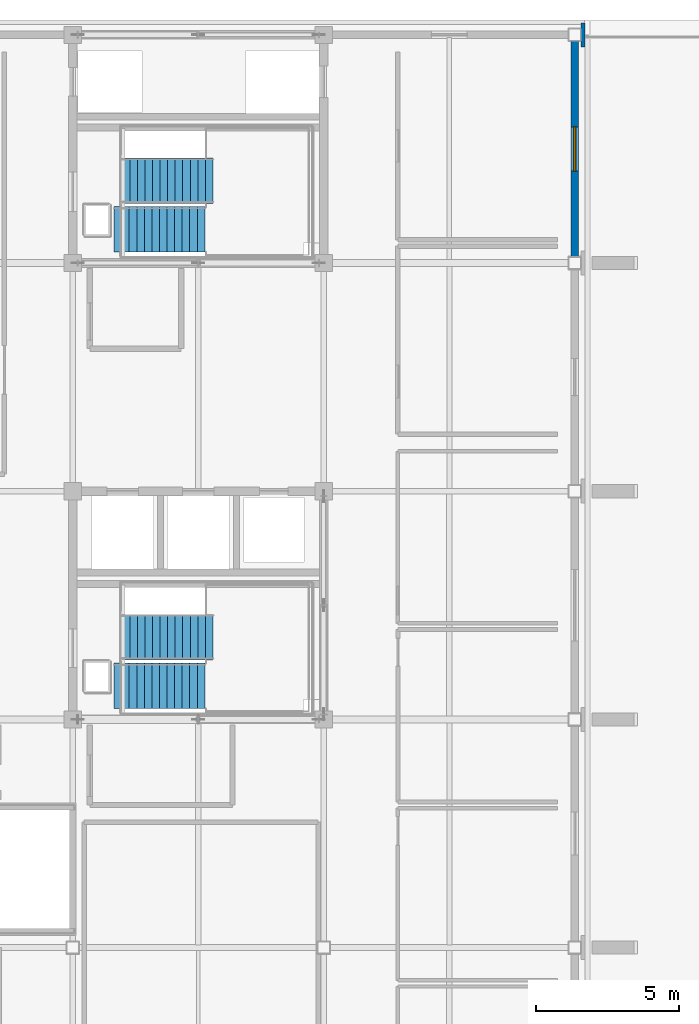
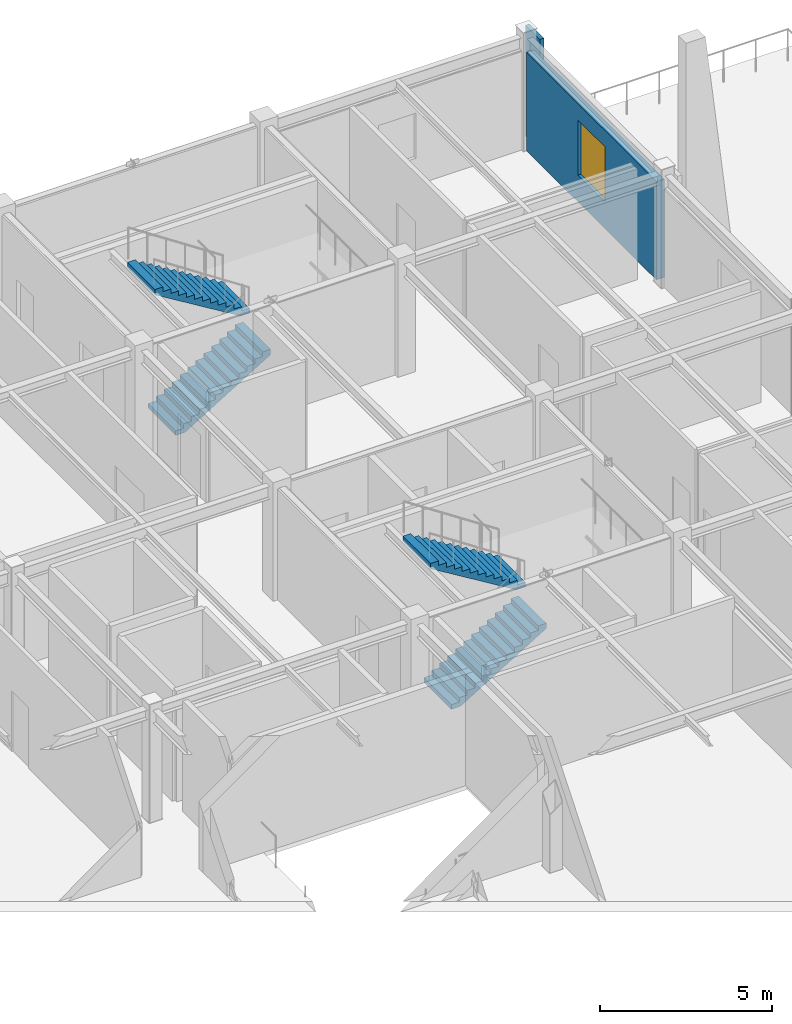
# One storey, part 9 of 13: 4 stair flights, 2 walls, 1 window, 1 opening, 2 elements without a shape of their own.
"""IFC4 building model written with IfcOpenShell, lengths in metres."""

from ifc_helpers import new_model, si_unit, direction, frame, frame_2d, origin, place, context, subcontext, project, spatial, polyline, rectangle, outline, extrude, material, layer, layer_set, type_object, element, fill, aggregate, save


model = new_model("IFC4")

# Units and contexts
model_context = context("Model", 3, precision=1e-05, world=origin(), true_north=direction((0.0, 1.0)))
body_context = subcontext(model_context, "Body", "Model", "MODEL_VIEW")
ifc_project = project(units=[si_unit("LENGTHUNIT", "METRE"), si_unit("AREAUNIT", "SQUARE_METRE"), si_unit("VOLUMEUNIT", "CUBIC_METRE"), si_unit("PLANEANGLEUNIT", "RADIAN"), si_unit("MASSUNIT", "GRAM", prefix="KILO")], contexts=[model_context])

# Site, building, storey
site_placement = place(None, origin())
site = spatial("IfcSite", under=ifc_project, at=site_placement, CompositionType="ELEMENT")
building_placement = place(site_placement, origin())
building = spatial("IfcBuilding", under=site, at=building_placement, Name="Zhaolan Boulevard Law Courts", CompositionType="ELEMENT")
storey_placement = place(building_placement, frame((0.0, 0.0, 37.199951171875)))
storey = spatial("IfcBuildingStorey", under=building, at=storey_placement, Name="L08", CompositionType="ELEMENT", Elevation=37.199951171875)

# Wall
ifc_material_1 = material(Name="Concrete C40", Category="concrete")
ifc_layer_1 = layer(ifc_material_1, 0.139892578125)
ifc_layer_set_1 = layer_set([ifc_layer_1])
wall_type_1 = type_object("IfcWallType", Name="EXT WALL ARCH CLAD140", PredefinedType="SOLIDWALL", material=ifc_layer_set_1)
wall_1_placement = place(storey_placement, frame((35.47998046875, 69.580078125, 0.0), z_axis=(0.0, 0.0, 1.0), x_axis=(0.0, 1.0, 0.0)))
element("IfcWall", 1, at=wall_1_placement, inside=storey, type_object=wall_type_1, Name="Concrete Column Cloak Pier CPR-194", PredefinedType="SOLIDWALL", context=body_context, shape_type="SweptSolid", body=[
    extrude(rectangle(XDim=0.83984375, YDim=0.139892578125, at=frame_2d((0.419921875, 0.0))), origin(), (0.0, 0.0, 1.0), 3.93994140625),
])

# Wall, opening, window
ifc_material_2 = material(Name="Concrete C40", Category="concrete")
ifc_layer_2 = layer(ifc_material_2, 0.260009765625)
ifc_layer_set_2 = layer_set([ifc_layer_2])
wall_type_2 = type_object("IfcWallType", Name="EXT WALL CONCRETE260", PredefinedType="SOLIDWALL", material=ifc_layer_set_2)
wall_2_placement = place(storey_placement, frame((35.199951171875, 62.220947265625, 0.0), z_axis=(0.0, 0.0, 1.0), x_axis=(0.0, 1.0, 0.0)))
wall_2 = element("IfcWall", 2, at=wall_2_placement, inside=storey, type_object=wall_type_2, Name="Exterior Wall EW-L08-424", PredefinedType="SOLIDWALL", context=body_context, shape_type="SweptSolid", body=[
    extrude(rectangle(XDim=7.55810546875, YDim=0.260009765625, at=frame_2d((3.779052734375, 0.0))), origin(), (0.0, 0.0, 1.0), 3.483154296875),
])
opening_placement = place(wall_2_placement, frame((3.00390625, 0.0, 0.949951171875)))
opening = element("IfcOpeningElement", 3, at=opening_placement, cuts=wall_2, Name="Opening WIN-L08-273", PredefinedType="OPENING", context=body_context, shape_type="SweptSolid", body=[
    extrude(rectangle(XDim=1.550048828125, YDim=1.949951171875, at=frame_2d((0.77490234375, 0.97509765625))), frame((0.0, 0.139892578125, 0.0), z_axis=(0.0, -1.0, 0.0), x_axis=(1.0, 0.0, 0.0)), (0.0, 0.0, 1.0), 0.280029296875),
])
ifc_material_3 = material(Name="Thermally broken aluminium and low-E glazing", Category="aluminium")
window_type = type_object("IfcWindowType", Name="WINDOW 1550X1950", PartitioningType="SINGLE_PANEL", PredefinedType="WINDOW", material=ifc_material_3)
window_placement = place(opening_placement, origin())
window = element("IfcWindow", 4, at=window_placement, inside=storey, type_object=window_type, Name="Exterior Window WIN-L08-273", OverallHeight=1.949951171875, OverallWidth=1.550048828125, PartitioningType="SINGLE_PANEL", PredefinedType="WINDOW", context=body_context, shape_type="SweptSolid", body=[
    extrude(rectangle(XDim=1.550048828125, YDim=1.949951171875, at=frame_2d((0.77490234375, 0.97509765625))), frame((0.0, 0.030029296875, 0.0), z_axis=(0.0, -1.0, 0.0), x_axis=(1.0, 0.0, 0.0)), (0.0, 0.0, 1.0), 0.06005859375),
])
fill(opening, window)

# Stair, stair flights
ifc_material_4 = material(Name="Concrete C40", Category="concrete")
stair_type = type_object("IfcStairType", Name="HALF TURN STAIR 42 B", PredefinedType="HALF_TURN_STAIR", material=ifc_material_4)
stair_1_placement = place(storey_placement, origin())
stair_1 = element("IfcStair", 5, at=stair_1_placement, inside=storey, type_object=stair_type, Name="Stair ST01-L08", PredefinedType="HALF_TURN_STAIR")
ifc_material_5 = material(Name="Concrete C40", Category="concrete")
stair_flight_type = type_object("IfcStairFlightType", Name="STAIR FLIGHT 42 B", PredefinedType="STRAIGHT", material=ifc_material_5)
stair_flight_1_placement = place(storey_placement, frame((19.050048828125, 47.179931640625, 0.0), z_axis=(0.0, 0.0, 1.0), x_axis=(1.0, 0.0, 0.0)))
stair_flight_1 = element("IfcStairFlight", 6, at=stair_flight_1_placement, type_object=stair_flight_type, Name="Stair Flight ST01-L08-F1", NumberOfRisers=13, NumberOfTreads=12, PredefinedType="STRAIGHT", RiserHeight=0.161538462, TreadLength=0.265, context=body_context, shape_type="SweptSolid", body=[
    extrude(outline(polyline([(0.0, 0.0), (0.0, 0.16162109375), (0.264892578125, 0.16162109375), (0.264892578125, 0.322998046875), (0.530029296875, 0.322998046875), (0.530029296875, 0.484619140625), (0.794921875, 0.484619140625), (0.794921875, 0.646240234375), (1.06005859375, 0.646240234375), (1.06005859375, 0.8076171875), (1.324951171875, 0.8076171875), (1.324951171875, 0.96923828125), (1.590087890625, 0.96923828125), (1.590087890625, 1.130859375), (1.85498046875, 1.130859375), (1.85498046875, 1.292236328125), (2.1201171875, 1.292236328125), (2.1201171875, 1.453857421875), (2.385009765625, 1.453857421875), (2.385009765625, 1.615478515625), (2.64990234375, 1.615478515625), (2.64990234375, 1.77685546875), (2.9150390625, 1.77685546875), (2.9150390625, 1.9384765625), (3.179931640625, 1.9384765625), (3.179931640625, 2.10009765625), (3.179931640625, 1.751220703125), (0.30712890625, 0.0), (0.0, 0.0)])), frame((0.0, 0.800048828125, 0.0), z_axis=(0.0, -1.0, 0.0), x_axis=(1.0, 0.0, 0.0)), (0.0, 0.0, 1.0), 1.60009765625),
])
stair_flight_2_placement = place(storey_placement, frame((22.514892578125, 48.8798828125, 2.10009765625), z_axis=(0.0, 0.0, 1.0), x_axis=(-1.0, 0.0, 0.0)))
stair_flight_2 = element("IfcStairFlight", 7, at=stair_flight_2_placement, type_object=stair_flight_type, Name="Stair Flight ST01-L08-F2", NumberOfRisers=13, NumberOfTreads=12, PredefinedType="STRAIGHT", RiserHeight=0.161538462, TreadLength=0.265, context=body_context, shape_type="SweptSolid", body=[
    extrude(outline(polyline([(0.0, 0.0), (0.0, 0.16162109375), (0.264892578125, 0.16162109375), (0.264892578125, 0.322998046875), (0.530029296875, 0.322998046875), (0.530029296875, 0.484619140625), (0.794921875, 0.484619140625), (0.794921875, 0.646240234375), (1.06005859375, 0.646240234375), (1.06005859375, 0.8076171875), (1.324951171875, 0.8076171875), (1.324951171875, 0.96923828125), (1.590087890625, 0.96923828125), (1.590087890625, 1.130859375), (1.85498046875, 1.130859375), (1.85498046875, 1.292236328125), (2.1201171875, 1.292236328125), (2.1201171875, 1.453857421875), (2.385009765625, 1.453857421875), (2.385009765625, 1.615478515625), (2.64990234375, 1.615478515625), (2.64990234375, 1.77685546875), (2.9150390625, 1.77685546875), (2.9150390625, 1.9384765625), (3.179931640625, 1.9384765625), (3.179931640625, 2.10009765625), (3.179931640625, 1.751220703125), (0.30712890625, 0.0), (0.0, 0.0)])), frame((0.0, 0.800048828125, 0.0), z_axis=(0.0, -1.0, 0.0), x_axis=(1.0, 0.0, 0.0)), (0.0, 0.0, 1.0), 1.60009765625),
])
aggregate(stair_1, [stair_flight_1, stair_flight_2])

stair_2_placement = place(storey_placement, origin())
stair_2 = element("IfcStair", 8, at=stair_2_placement, inside=storey, type_object=stair_type, Name="Stair ST02-L08", PredefinedType="HALF_TURN_STAIR")
stair_flight_3_placement = place(storey_placement, frame((19.050048828125, 63.179931640625, 0.0), z_axis=(0.0, 0.0, 1.0), x_axis=(1.0, 0.0, 0.0)))
stair_flight_3 = element("IfcStairFlight", 9, at=stair_flight_3_placement, type_object=stair_flight_type, Name="Stair Flight ST02-L08-F1", NumberOfRisers=13, NumberOfTreads=12, PredefinedType="STRAIGHT", RiserHeight=0.161538462, TreadLength=0.265, context=body_context, shape_type="SweptSolid", body=[
    extrude(outline(polyline([(0.0, 0.0), (0.0, 0.16162109375), (0.264892578125, 0.16162109375), (0.264892578125, 0.322998046875), (0.530029296875, 0.322998046875), (0.530029296875, 0.484619140625), (0.794921875, 0.484619140625), (0.794921875, 0.646240234375), (1.06005859375, 0.646240234375), (1.06005859375, 0.8076171875), (1.324951171875, 0.8076171875), (1.324951171875, 0.96923828125), (1.590087890625, 0.96923828125), (1.590087890625, 1.130859375), (1.85498046875, 1.130859375), (1.85498046875, 1.292236328125), (2.1201171875, 1.292236328125), (2.1201171875, 1.453857421875), (2.385009765625, 1.453857421875), (2.385009765625, 1.615478515625), (2.64990234375, 1.615478515625), (2.64990234375, 1.77685546875), (2.9150390625, 1.77685546875), (2.9150390625, 1.9384765625), (3.179931640625, 1.9384765625), (3.179931640625, 2.10009765625), (3.179931640625, 1.751220703125), (0.30712890625, 0.0), (0.0, 0.0)])), frame((0.0, 0.800048828125, 0.0), z_axis=(0.0, -1.0, 0.0), x_axis=(1.0, 0.0, 0.0)), (0.0, 0.0, 1.0), 1.60009765625),
])
stair_flight_4_placement = place(storey_placement, frame((22.514892578125, 64.8798828125, 2.10009765625), z_axis=(0.0, 0.0, 1.0), x_axis=(-1.0, 0.0, 0.0)))
stair_flight_4 = element("IfcStairFlight", 10, at=stair_flight_4_placement, type_object=stair_flight_type, Name="Stair Flight ST02-L08-F2", NumberOfRisers=13, NumberOfTreads=12, PredefinedType="STRAIGHT", RiserHeight=0.161538462, TreadLength=0.265, context=body_context, shape_type="SweptSolid", body=[
    extrude(outline(polyline([(0.0, 0.0), (0.0, 0.16162109375), (0.264892578125, 0.16162109375), (0.264892578125, 0.322998046875), (0.530029296875, 0.322998046875), (0.530029296875, 0.484619140625), (0.794921875, 0.484619140625), (0.794921875, 0.646240234375), (1.06005859375, 0.646240234375), (1.06005859375, 0.8076171875), (1.324951171875, 0.8076171875), (1.324951171875, 0.96923828125), (1.590087890625, 0.96923828125), (1.590087890625, 1.130859375), (1.85498046875, 1.130859375), (1.85498046875, 1.292236328125), (2.1201171875, 1.292236328125), (2.1201171875, 1.453857421875), (2.385009765625, 1.453857421875), (2.385009765625, 1.615478515625), (2.64990234375, 1.615478515625), (2.64990234375, 1.77685546875), (2.9150390625, 1.77685546875), (2.9150390625, 1.9384765625), (3.179931640625, 1.9384765625), (3.179931640625, 2.10009765625), (3.179931640625, 1.751220703125), (0.30712890625, 0.0), (0.0, 0.0)])), frame((0.0, 0.800048828125, 0.0), z_axis=(0.0, -1.0, 0.0), x_axis=(1.0, 0.0, 0.0)), (0.0, 0.0, 1.0), 1.60009765625),
])
aggregate(stair_2, [stair_flight_3, stair_flight_4])

save(model, "model.ifc")
